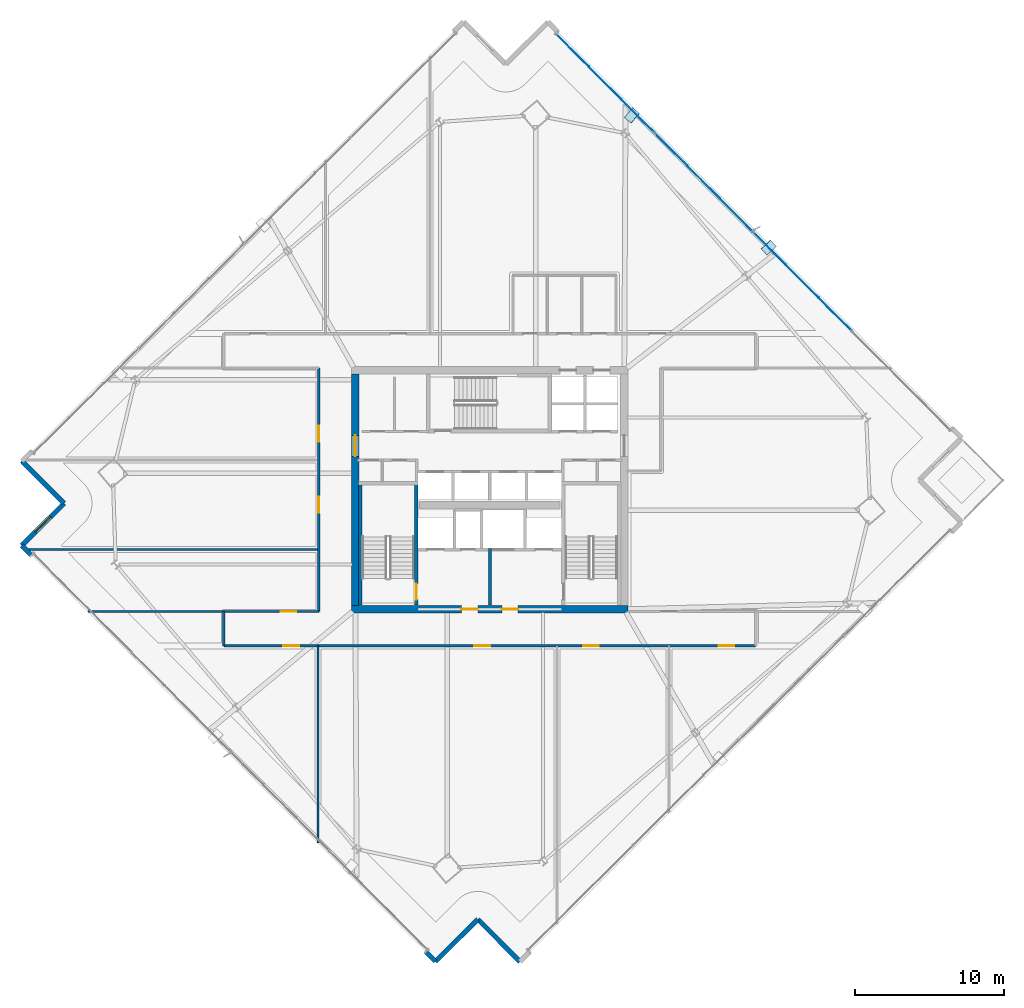
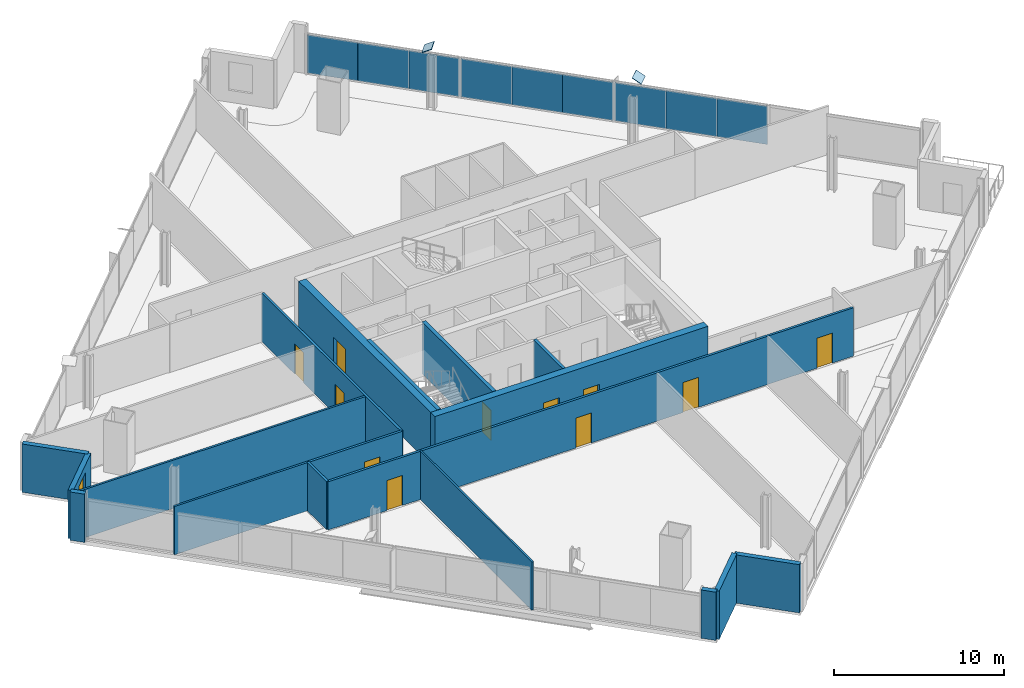
# One storey, part 24 of 32: 18 walls, 11 doors, 11 plates, 1 window, 12 openings, 1 element without a shape of its own.
"""IFC4 building model written with IfcOpenShell, lengths in metres."""

from ifc_helpers import new_model, si_unit, direction, frame, frame_2d, origin, origin_2d, place, context, subcontext, project, spatial, rectangle, extrude, source, transform, mapped, material, layer, layer_set, type_object, element, fill, aggregate, save


model = new_model("IFC4")

# Units and contexts
model_context = context("Model", 3, precision=1e-05, world=origin(), true_north=direction((0.0, 1.0)))
body_context = subcontext(model_context, "Body", "Model", "MODEL_VIEW")
ifc_project = project(units=[si_unit("LENGTHUNIT", "METRE"), si_unit("AREAUNIT", "SQUARE_METRE"), si_unit("VOLUMEUNIT", "CUBIC_METRE"), si_unit("PLANEANGLEUNIT", "RADIAN"), si_unit("MASSUNIT", "GRAM", prefix="KILO")], contexts=[model_context])

# Site, building, storey
site_placement = place(None, origin())
site = spatial("IfcSite", under=ifc_project, at=site_placement, CompositionType="ELEMENT")
building_placement = place(site_placement, origin())
building = spatial("IfcBuilding", under=site, at=building_placement, Name="Haldenkirk Collegiate Tower", CompositionType="ELEMENT")
storey_placement = place(building_placement, frame((0.0, 0.0, 178.199951171875)))
storey = spatial("IfcBuildingStorey", under=building, at=storey_placement, Name="L44", CompositionType="ELEMENT", Elevation=178.199951171875)

# Plates
ifc_material_1 = material(Name="Steel ASTM A572 Grade 50", Category="steel")
ifc_layer_1 = layer(ifc_material_1, 0.034912109375)
ifc_layer_set_1 = layer_set([ifc_layer_1], Name="Steel ASTM A572 Grade 50")
plate_type_1 = type_object("IfcPlateType", Name="PLT-CAP-EXT-760X600", PredefinedType="USERDEFINED", material=ifc_layer_set_1)
shared_shape_1 = source(origin(), body_context, "Body", "SweptSolid", [
    extrude(rectangle(XDim=0.860107421875, YDim=0.659912109375, at=origin_2d()), origin(), (0.0, 0.0, 1.0), 0.034912109375),
])
for number, where, z_axis, x_axis, name in (
    (1, (54.6669921875, 42.213623046875, 3.447509765625), (0.352288923463, -0.374112918721, 0.857864813622), (0.728022780542, 0.685552938155, -1.75998e-07), "Perimeter Mega Brace Z3 L42-L44 EL end cap plate 2"),
    (2, (45.5205078125, 51.0458984375, 3.447509765625), (-0.355243007103, 0.308160006162, 0.882519017646), (-0.655273233377, -0.75539194437, 3.99235e-07), "Perimeter Mega Brace Z3 L42-L44 ER end cap plate 2"),
):
    element("IfcPlate", number, at=place(storey_placement, frame(where, z_axis=z_axis, x_axis=x_axis)), inside=storey, type_object=plate_type_1, Name=name, ObjectType="END CAP PLATE", PredefinedType="USERDEFINED", context=body_context, shape_type="MappedRepresentation", body=[
        mapped(shared_shape_1, transform((0.0, 0.0, 0.0), x_axis=(1.0, 0.0, 0.0), y_axis=(0.0, 1.0, 0.0), z_axis=(0.0, 0.0, 1.0), scale=1.0)),
    ])

# Curtain wall, plates
ifc_material_2 = material(Name="Anodised architectural bronze aluminium", Category="aluminium")
curtain_wall_type = type_object("IfcCurtainWallType", Name="CW-SYS1-CONVEX-LOW", PredefinedType="USERDEFINED", material=ifc_material_2)
curtain_wall_placement = place(storey_placement, origin())
curtain_wall = element("IfcCurtainWall", 3, at=curtain_wall_placement, inside=storey, type_object=curtain_wall_type, Name="L44 Lower tower convex bronze-framed unitised curtain wall", ObjectType="UNITISED CURTAIN WALL", PredefinedType="USERDEFINED")
ifc_material_3 = material(Name="Bronze-anodised insulated aluminium spandrel panel", Category="aluminium")
ifc_layer_2 = layer(ifc_material_3, 0.0439453125)
ifc_layer_set_2 = layer_set([ifc_layer_2], Name="Bronze-anodised insulated aluminium spandrel panel")
plate_type_2 = type_object("IfcPlateType", Name="CW-SPD-1A", PredefinedType="CURTAIN_PANEL", material=ifc_layer_set_2)
shared_shape_2 = source(origin(), body_context, "Body", "SweptSolid", [
    extrude(rectangle(XDim=3.083740234375, YDim=0.0439453125, at=origin_2d()), origin(), (0.0, 0.0, 1.0), 2.7509765625),
])
plate_1_placement = place(storey_placement, frame((48.130615234375, 48.7861328125, 0.080078125), z_axis=(0.0, 0.0, 1.0), x_axis=(0.705255127772, -0.708953598447, 0.0)))
plate_1 = element("IfcPlate", 4, at=plate_1_placement, type_object=plate_type_2, Name="CW-1A spandrel panel 2.1a", PredefinedType="CURTAIN_PANEL", context=body_context, shape_type="MappedRepresentation", body=[
    mapped(shared_shape_2, transform((0.0, 0.0, 0.0), x_axis=(1.0, 0.0, 0.0), y_axis=(0.0, 1.0, 0.0), z_axis=(0.0, 0.0, 1.0), scale=1.0)),
])
plate_2_placement = place(storey_placement, frame((52.506591796875, 44.38720703125, 0.080078125), z_axis=(0.0, 0.0, 1.0), x_axis=(0.705255127772, -0.708953598447, 0.0)))
plate_2 = element("IfcPlate", 5, at=plate_2_placement, type_object=plate_type_2, Name="CW-1A spandrel panel 2.1c", PredefinedType="CURTAIN_PANEL", context=body_context, shape_type="MappedRepresentation", body=[
    mapped(shared_shape_2, transform((0.0, 0.0, 0.0), x_axis=(1.0, 0.0, 0.0), y_axis=(0.0, 1.0, 0.0), z_axis=(0.0, 0.0, 1.0), scale=1.0)),
])
plate_3_placement = place(storey_placement, frame((54.73779296875, 42.144287109375, 0.080078125), z_axis=(0.0, 0.0, 1.0), x_axis=(0.705255127772, -0.708953598447, 0.0)))
plate_3 = element("IfcPlate", 6, at=plate_3_placement, type_object=plate_type_2, Name="CW-1A spandrel panel 3.1a", PredefinedType="CURTAIN_PANEL", context=body_context, shape_type="MappedRepresentation", body=[
    mapped(shared_shape_2, transform((0.0, 0.0, 0.0), x_axis=(1.0, 0.0, 0.0), y_axis=(0.0, 1.0, 0.0), z_axis=(0.0, 0.0, 1.0), scale=1.0)),
])
ifc_material_4 = material(Name="Low-E argon triple insulating glass", Category="glass")
ifc_layer_3 = layer(ifc_material_4, 0.0439453125)
ifc_layer_set_3 = layer_set([ifc_layer_3], Name="Low-E argon triple insulating glass")
plate_type_3 = type_object("IfcPlateType", Name="CW-PNL-1A", PredefinedType="CURTAIN_PANEL", material=ifc_layer_set_3)
plate_4_placement = place(storey_placement, frame((59.114013671875, 37.7451171875, 0.080078125), z_axis=(0.0, 0.0, 1.0), x_axis=(0.705255127772, -0.708953598447, 0.0)))
plate_4 = element("IfcPlate", 7, at=plate_4_placement, type_object=plate_type_3, Name="CW-1A panel 3.1c", PredefinedType="CURTAIN_PANEL", context=body_context, shape_type="MappedRepresentation", body=[
    mapped(shared_shape_2, transform((0.0, 0.0, 0.0), x_axis=(1.0, 0.0, 0.0), y_axis=(0.0, 1.0, 0.0), z_axis=(0.0, 0.0, 1.0), scale=1.0)),
])
shared_shape_3 = source(origin(), body_context, "Body", "SweptSolid", [
    extrude(rectangle(XDim=3.0712890625, YDim=0.0439453125, at=origin_2d()), origin(), (0.0, 0.0, 1.0), 2.7509765625),
])
plate_5_placement = place(storey_placement, frame((50.318603515625, 46.586669921875, 0.080078125), z_axis=(0.0, 0.0, 1.0), x_axis=(0.705255127772, -0.708953598447, 0.0)))
plate_5 = element("IfcPlate", 8, at=plate_5_placement, type_object=plate_type_3, Name="CW-1A panel 2.1b", PredefinedType="CURTAIN_PANEL", context=body_context, shape_type="MappedRepresentation", body=[
    mapped(shared_shape_3, transform((0.0, 0.0, 0.0), x_axis=(1.0, 0.0, 0.0), y_axis=(0.0, 1.0, 0.0), z_axis=(0.0, 0.0, 1.0), scale=1.0)),
])
plate_6_placement = place(storey_placement, frame((56.92578125, 39.944580078125, 0.080078125), z_axis=(0.0, 0.0, 1.0), x_axis=(0.705255127772, -0.708953598447, 0.0)))
plate_6 = element("IfcPlate", 9, at=plate_6_placement, type_object=plate_type_3, Name="CW-1A panel 3.1b", PredefinedType="CURTAIN_PANEL", context=body_context, shape_type="MappedRepresentation", body=[
    mapped(shared_shape_3, transform((0.0, 0.0, 0.0), x_axis=(1.0, 0.0, 0.0), y_axis=(0.0, 1.0, 0.0), z_axis=(0.0, 0.0, 1.0), scale=1.0)),
])
shared_shape_4 = source(origin(), body_context, "Body", "SweptSolid", [
    extrude(rectangle(XDim=3.0703125, YDim=0.0439453125, at=origin_2d()), origin(), (0.0, 0.0, 1.0), 2.7509765625),
])
plate_7_placement = place(storey_placement, frame((41.546630859375, 55.404541015625, 0.080078125), z_axis=(0.0, 0.0, 1.0), x_axis=(0.705255127772, -0.708953598447, 0.0)))
plate_7 = element("IfcPlate", 10, at=plate_7_placement, type_object=plate_type_3, Name="CW-1A panel 1.1a", PredefinedType="CURTAIN_PANEL", context=body_context, shape_type="MappedRepresentation", body=[
    mapped(shared_shape_4, transform((0.0, 0.0, 0.0), x_axis=(1.0, 0.0, 0.0), y_axis=(0.0, 1.0, 0.0), z_axis=(0.0, 0.0, 1.0), scale=1.0)),
])
plate_8_placement = place(storey_placement, frame((45.90380859375, 51.0244140625, 0.080078125), z_axis=(0.0, 0.0, 1.0), x_axis=(0.705255127772, -0.708953598447, 0.0)))
plate_8 = element("IfcPlate", 11, at=plate_8_placement, type_object=plate_type_2, Name="CW-1A spandrel panel 1.1c", PredefinedType="CURTAIN_PANEL", context=body_context, shape_type="MappedRepresentation", body=[
    mapped(shared_shape_4, transform((0.0, 0.0, 0.0), x_axis=(1.0, 0.0, 0.0), y_axis=(0.0, 1.0, 0.0), z_axis=(0.0, 0.0, 1.0), scale=1.0)),
])
shared_shape_5 = source(origin(), body_context, "Body", "SweptSolid", [
    extrude(rectangle(XDim=3.057861328125, YDim=0.0439453125, at=origin_2d()), origin(), (0.0, 0.0, 1.0), 2.7509765625),
])
plate_9_placement = place(storey_placement, frame((43.725341796875, 53.214599609375, 0.080078125), z_axis=(0.0, 0.0, 1.0), x_axis=(0.705255127772, -0.708953598447, 0.0)))
plate_9 = element("IfcPlate", 12, at=plate_9_placement, type_object=plate_type_3, Name="CW-1A panel 1.1b", PredefinedType="CURTAIN_PANEL", context=body_context, shape_type="MappedRepresentation", body=[
    mapped(shared_shape_5, transform((0.0, 0.0, 0.0), x_axis=(1.0, 0.0, 0.0), y_axis=(0.0, 1.0, 0.0), z_axis=(0.0, 0.0, 1.0), scale=1.0)),
])
aggregate(curtain_wall, [plate_7, plate_9, plate_8, plate_1, plate_5, plate_2, plate_3, plate_6, plate_4])

# Wall, openings, doors
ifc_material_5 = material(Name="Concrete f'c 55 MPa", Category="concrete")
ifc_layer_4 = layer(ifc_material_5, 0.5)
ifc_layer_set_4 = layer_set([ifc_layer_4], Name="Concrete f'c 55 MPa")
wall_type_1 = type_object("IfcWallType", Name="WL-CORE-500", PredefinedType="SHEAR", material=ifc_layer_set_4)
wall_1_placement = place(storey_placement, frame((26.75, 18.0, 0.0), z_axis=(0.0, 0.0, 1.0), x_axis=(1.0, 0.0, 0.0)))
wall_1 = element("IfcWall", 13, at=wall_1_placement, inside=storey, type_object=wall_type_1, Name="L44 central core shear wall S", PredefinedType="SHEAR", context=body_context, shape_type="SweptSolid", body=[
    extrude(rectangle(XDim=18.5, YDim=0.5, at=frame_2d((9.25, 0.0))), origin(), (0.0, 0.0, 1.0), 3.75),
])
opening_1_placement = place(wall_1_placement, frame((7.35009765625, 0.0, 0.0)))
opening_1 = element("IfcOpeningElement", 14, at=opening_1_placement, cuts=wall_1, Name="Opening D-02", PredefinedType="OPENING", context=body_context, shape_type="SweptSolid", body=[
    extrude(rectangle(XDim=1.10009765625, YDim=2.14990234375, at=frame_2d((0.550048828125, 1.074951171875))), frame((0.0, 0.260009765625, 0.0), z_axis=(0.0, -1.0, 0.0), x_axis=(1.0, 0.0, 0.0)), (0.0, 0.0, 1.0), 0.52001953125),
])
opening_2_placement = place(wall_1_placement, frame((10.050048828125, 0.0, 0.0)))
opening_2 = element("IfcOpeningElement", 15, at=opening_2_placement, cuts=wall_1, Name="Opening D-02", PredefinedType="OPENING", context=body_context, shape_type="SweptSolid", body=[
    extrude(rectangle(XDim=1.10009765625, YDim=2.14990234375, at=frame_2d((0.550048828125, 1.074951171875))), frame((0.0, 0.260009765625, 0.0), z_axis=(0.0, -1.0, 0.0), x_axis=(1.0, 0.0, 0.0)), (0.0, 0.0, 1.0), 0.52001953125),
])
ifc_material_6 = material(Name="Galvanized fire-rated hollow steel door", Category="steel")
ifc_layer_5 = layer(ifc_material_6, 0.06005859375)
ifc_layer_set_5 = layer_set([ifc_layer_5], Name="Galvanized fire-rated hollow steel door")
door_type_1 = type_object("IfcDoorType", Name="DR-STAIR-FD90-1100", OperationType="NOTDEFINED", PredefinedType="DOOR", material=ifc_layer_set_5)
door_1_placement = place(opening_1_placement, origin())
door_1 = element("IfcDoor", 16, at=door_1_placement, inside=storey, type_object=door_type_1, Name="L44 Firefighting Lobby 1 door", OperationType="SINGLE_SWING_RIGHT", OverallHeight=2.14990234375, OverallWidth=1.10009765625, PredefinedType="DOOR", context=body_context, shape_type="SweptSolid", body=[
    extrude(rectangle(XDim=1.10009765625, YDim=2.14990234375, at=frame_2d((0.550048828125, 1.074951171875))), frame((0.0, 0.02490234375, 0.0), z_axis=(0.0, -1.0, 0.0), x_axis=(1.0, 0.0, 0.0)), (0.0, 0.0, 1.0), 0.050048828125),
])
fill(opening_1, door_1)
door_2_placement = place(opening_2_placement, origin())
door_2 = element("IfcDoor", 17, at=door_2_placement, inside=storey, type_object=door_type_1, Name="L44 Firefighting Lobby 2 door", OperationType="SINGLE_SWING_LEFT", OverallHeight=2.14990234375, OverallWidth=1.10009765625, PredefinedType="DOOR", context=body_context, shape_type="SweptSolid", body=[
    extrude(rectangle(XDim=1.10009765625, YDim=2.14990234375, at=frame_2d((0.550048828125, 1.074951171875))), frame((0.0, 0.02490234375, 0.0), z_axis=(0.0, -1.0, 0.0), x_axis=(1.0, 0.0, 0.0)), (0.0, 0.0, 1.0), 0.050048828125),
])
fill(opening_2, door_2)

# Wall, opening, door
wall_2_placement = place(storey_placement, frame((27.0, 18.25, 0.0), z_axis=(0.0, 0.0, 1.0), x_axis=(0.0, 1.0, 0.0)))
wall_2 = element("IfcWall", 18, at=wall_2_placement, inside=storey, type_object=wall_type_1, Name="L44 central core shear wall W", PredefinedType="SHEAR", context=body_context, shape_type="SweptSolid", body=[
    extrude(rectangle(XDim=15.5, YDim=0.5, at=frame_2d((7.75, 0.0))), origin(), (0.0, 0.0, 1.0), 3.75),
])
opening_3_placement = place(wall_2_placement, frame((9.989990234375, 0.0, 0.0)))
opening_3 = element("IfcOpeningElement", 19, at=opening_3_placement, cuts=wall_2, Name="Opening D-03", PredefinedType="OPENING", context=body_context, shape_type="SweptSolid", body=[
    extrude(rectangle(XDim=1.39990234375, YDim=2.199951171875, at=frame_2d((0.699951171875, 1.10009765625))), frame((0.0, 0.260009765625, 0.0), z_axis=(0.0, -1.0, 0.0), x_axis=(1.0, 0.0, 0.0)), (0.0, 0.0, 1.0), 0.52001953125),
])
ifc_layer_6 = layer(ifc_material_6, 0.06005859375)
ifc_layer_set_6 = layer_set([ifc_layer_6], Name="Galvanized fire-rated hollow steel door")
door_type_2 = type_object("IfcDoorType", Name="DR-LOBBY-FD90-1400", OperationType="NOTDEFINED", PredefinedType="DOOR", material=ifc_layer_set_6)
door_3_placement = place(opening_3_placement, origin())
door_3 = element("IfcDoor", 20, at=door_3_placement, inside=storey, type_object=door_type_2, Name="L44 west lift lobby portal", OperationType="DOUBLE_DOOR_SINGLE_SWING", OverallHeight=2.199951171875, OverallWidth=1.39990234375, PredefinedType="DOOR", context=body_context, shape_type="SweptSolid", body=[
    extrude(rectangle(XDim=1.39990234375, YDim=2.199951171875, at=frame_2d((0.699951171875, 1.10009765625))), frame((0.0, 0.02490234375, 0.0), z_axis=(0.0, -1.0, 0.0), x_axis=(1.0, 0.0, 0.0)), (0.0, 0.0, 1.0), 0.050048828125),
])
fill(opening_3, door_3)

# Wall
ifc_material_7 = material(Name="Precast concrete f'c 40 MPa", Category="concrete")
ifc_layer_7 = layer(ifc_material_7, 0.320068359375)
ifc_layer_set_7 = layer_set([ifc_layer_7], Name="Precast concrete f'c 40 MPa")
wall_type_2 = type_object("IfcWallType", Name="WL-EXT-TWR-320", PredefinedType="STANDARD", material=ifc_layer_set_7)
wall_3_placement = place(storey_placement, frame((7.501220703125, 25.084716796875, 0.0), z_axis=(0.0, 0.0, 1.0), x_axis=(-0.705273324255, 0.708935496427, 0.0)))
element("IfcWall", 21, at=wall_3_placement, inside=storey, type_object=wall_type_2, Name="L44 bronze precast notch wall 08", PredefinedType="STANDARD", context=body_context, shape_type="SweptSolid", body=[
    extrude(rectangle(XDim=4.0, YDim=0.320068359375, at=frame_2d((2.0, 0.0))), origin(), (0.0, 0.0, 1.0), 3.4599609375),
])

# Wall, opening, window
wall_4_placement = place(storey_placement, frame((4.665283203125, 22.263671875, 0.0), z_axis=(0.0, 0.0, 1.0), x_axis=(0.708965854503, 0.70524280723, 0.0)))
wall_4 = element("IfcWall", 22, at=wall_4_placement, inside=storey, type_object=wall_type_2, Name="L44 bronze precast notch wall 09", PredefinedType="STANDARD", context=body_context, shape_type="SweptSolid", body=[
    extrude(rectangle(XDim=4.0, YDim=0.320068359375, at=frame_2d((2.0, 0.0))), origin(), (0.0, 0.0, 1.0), 3.4599609375),
])
opening_4_placement = place(wall_4_placement, frame((1.27490234375, 0.0, 0.85009765625)))
opening_4 = element("IfcOpeningElement", 23, at=opening_4_placement, cuts=wall_4, Name="Opening W-05", PredefinedType="OPENING", context=body_context, shape_type="SweptSolid", body=[
    extrude(rectangle(XDim=1.449951171875, YDim=2.050048828125, at=frame_2d((0.72509765625, 1.02490234375))), frame((0.0, 0.169921875, 0.0), z_axis=(0.0, -1.0, 0.0), x_axis=(1.0, 0.0, 0.0)), (0.0, 0.0, 1.0), 0.340087890625),
])
ifc_layer_8 = layer(ifc_material_4, 0.090087890625)
ifc_layer_set_8 = layer_set([ifc_layer_8], Name="Low-E argon triple insulating glass")
window_type = type_object("IfcWindowType", Name="WN-Z3-1450X2050", PartitioningType="SINGLE_PANEL", PredefinedType="WINDOW", material=ifc_layer_set_8)
window_placement = place(opening_4_placement, origin())
window = element("IfcWindow", 24, at=window_placement, inside=storey, type_object=window_type, Name="L44 precast-frame academic window 8", OverallHeight=2.050048828125, OverallWidth=1.449951171875, PartitioningType="SINGLE_PANEL", PredefinedType="WINDOW", context=body_context, shape_type="SweptSolid", body=[
    extrude(rectangle(XDim=1.449951171875, YDim=2.050048828125, at=frame_2d((0.72509765625, 1.02490234375))), frame((0.0, 0.030029296875, 0.0), z_axis=(0.0, -1.0, 0.0), x_axis=(1.0, 0.0, 0.0)), (0.0, 0.0, 1.0), 0.06005859375),
])
fill(opening_4, window)

# Walls
wall_5_placement = place(storey_placement, frame((32.364013671875, -5.58056640625, 0.0), z_axis=(0.0, 0.0, 1.0), x_axis=(-0.705069217874, 0.709138490005, 0.0)))
element("IfcWall", 25, at=wall_5_placement, inside=storey, type_object=wall_type_2, Name="L44 precast corner pier WL", PredefinedType="STANDARD", context=body_context, shape_type="SweptSolid", body=[
    extrude(rectangle(XDim=0.89990234375, YDim=0.320068359375, at=frame_2d((0.449951171875, 0.0))), origin(), (0.0, 0.0, 1.0), 3.4599609375),
])
wall_6_placement = place(storey_placement, frame((5.300048828125, 21.62548828125, 0.0), z_axis=(0.0, 0.0, 1.0), x_axis=(-0.705205601739, 0.709002862671, 0.0)))
element("IfcWall", 26, at=wall_6_placement, inside=storey, type_object=wall_type_2, Name="L44 precast corner pier WR", PredefinedType="STANDARD", context=body_context, shape_type="SweptSolid", body=[
    extrude(rectangle(XDim=0.900146484375, YDim=0.320068359375, at=frame_2d((0.4501953125, 0.0))), origin(), (0.0, 0.0, 1.0), 3.4599609375),
])
for number, where, z_axis, x_axis, name in (
    (27, (35.199951171875, -2.759521484375, 0.0), (0.0, 0.0, 1.0), (-0.708965854503, -0.70524280723, 0.0), "L44 bronze precast notch wall 11"),
    (28, (38.02099609375, -5.595458984375, 0.0), (0.0, 0.0, 1.0), (-0.70524280723, 0.708965854503, 0.0), "L44 bronze precast notch wall 12"),
):
    element("IfcWall", number, at=place(storey_placement, frame(where, z_axis=z_axis, x_axis=x_axis)), inside=storey, type_object=wall_type_2, Name=name, PredefinedType="STANDARD", context=body_context, shape_type="SweptSolid", body=[
        extrude(rectangle(XDim=4.0, YDim=0.320068359375, at=frame_2d((2.0, 0.0))), origin(), (0.0, 0.0, 1.0), 3.4599609375),
    ])

# Wall, openings, doors
ifc_material_8 = material(Name="Acoustic fire-rated gypsum partition", Category="concrete")
ifc_layer_9 = layer(ifc_material_8, 0.159912109375)
ifc_layer_set_9 = layer_set([ifc_layer_9], Name="Acoustic fire-rated gypsum partition")
wall_type_3 = type_object("IfcWallType", Name="WL-INT-CORR-160", PredefinedType="PARTITIONING", material=ifc_layer_set_9)
wall_7_placement = place(storey_placement, frame((18.199951171875, 15.550048828125, 0.0), z_axis=(0.0, 0.0, 1.0), x_axis=(1.0, 0.0, 0.0)))
wall_7 = element("IfcWall", 29, at=wall_7_placement, inside=storey, type_object=wall_type_3, Name="L44 interior partition IW-L44-CS", PredefinedType="PARTITIONING", context=body_context, shape_type="SweptSolid", body=[
    extrude(rectangle(XDim=35.60009765625, YDim=0.159912109375, at=frame_2d((17.800048828125, 0.0))), origin(), (0.0, 0.0, 1.0), 3.4599609375),
])
opening_5_placement = place(wall_7_placement, frame((3.985107421875, 0.0, 0.0)))
opening_5 = element("IfcOpeningElement", 30, at=opening_5_placement, cuts=wall_7, Name="Opening D-09", PredefinedType="OPENING", context=body_context, shape_type="SweptSolid", body=[
    extrude(rectangle(XDim=1.050048828125, YDim=2.14990234375, at=frame_2d((0.52490234375, 1.074951171875))), frame((0.0, 0.08984375, 0.0), z_axis=(0.0, -1.0, 0.0), x_axis=(1.0, 0.0, 0.0)), (0.0, 0.0, 1.0), 0.179931640625),
])
opening_6_placement = place(wall_7_placement, frame((16.77490234375, 0.0, 0.0)))
opening_6 = element("IfcOpeningElement", 31, at=opening_6_placement, cuts=wall_7, Name="Opening D-09", PredefinedType="OPENING", context=body_context, shape_type="SweptSolid", body=[
    extrude(rectangle(XDim=1.050048828125, YDim=2.14990234375, at=frame_2d((0.52490234375, 1.074951171875))), frame((0.0, 0.08984375, 0.0), z_axis=(0.0, -1.0, 0.0), x_axis=(1.0, 0.0, 0.0)), (0.0, 0.0, 1.0), 0.179931640625),
])
opening_7_placement = place(wall_7_placement, frame((24.054931640625, 0.0, 0.0)))
opening_7 = element("IfcOpeningElement", 32, at=opening_7_placement, cuts=wall_7, Name="Opening D-09", PredefinedType="OPENING", context=body_context, shape_type="SweptSolid", body=[
    extrude(rectangle(XDim=1.050048828125, YDim=2.14990234375, at=frame_2d((0.52490234375, 1.074951171875))), frame((0.0, 0.08984375, 0.0), z_axis=(0.0, -1.0, 0.0), x_axis=(1.0, 0.0, 0.0)), (0.0, 0.0, 1.0), 0.179931640625),
])
opening_8_placement = place(wall_7_placement, frame((33.113037109375, 0.0, 0.0)))
opening_8 = element("IfcOpeningElement", 33, at=opening_8_placement, cuts=wall_7, Name="Opening D-09", PredefinedType="OPENING", context=body_context, shape_type="SweptSolid", body=[
    extrude(rectangle(XDim=1.050048828125, YDim=2.14990234375, at=frame_2d((0.52490234375, 1.074951171875))), frame((0.0, 0.08984375, 0.0), z_axis=(0.0, -1.0, 0.0), x_axis=(1.0, 0.0, 0.0)), (0.0, 0.0, 1.0), 0.179931640625),
])
ifc_material_9 = material(Name="Solid-core architectural oak fire door", Category="wood")
ifc_layer_10 = layer(ifc_material_9, 0.06005859375)
ifc_layer_set_10 = layer_set([ifc_layer_10], Name="Solid-core architectural oak fire door")
door_type_3 = type_object("IfcDoorType", Name="DR-INT-FD60-1050", OperationType="NOTDEFINED", PredefinedType="DOOR", material=ifc_layer_set_10)
door_4_placement = place(opening_5_placement, origin())
door_4 = element("IfcDoor", 34, at=door_4_placement, inside=storey, type_object=door_type_3, Name="L44 Wet Science Laboratory 1 door", OperationType="SINGLE_SWING_RIGHT", OverallHeight=2.14990234375, OverallWidth=1.050048828125, PredefinedType="DOOR", context=body_context, shape_type="SweptSolid", body=[
    extrude(rectangle(XDim=1.050048828125, YDim=2.14990234375, at=frame_2d((0.52490234375, 1.074951171875))), frame((0.0, 0.02490234375, 0.0), z_axis=(0.0, -1.0, 0.0), x_axis=(1.0, 0.0, 0.0)), (0.0, 0.0, 1.0), 0.050048828125),
])
fill(opening_5, door_4)
door_5_placement = place(opening_6_placement, origin())
door_5 = element("IfcDoor", 35, at=door_5_placement, inside=storey, type_object=door_type_3, Name="L44 Robotics Fabrication Lab 2 door", OperationType="SINGLE_SWING_LEFT", OverallHeight=2.14990234375, OverallWidth=1.050048828125, PredefinedType="DOOR", context=body_context, shape_type="SweptSolid", body=[
    extrude(rectangle(XDim=1.050048828125, YDim=2.14990234375, at=frame_2d((0.52490234375, 1.074951171875))), frame((0.0, 0.02490234375, 0.0), z_axis=(0.0, -1.0, 0.0), x_axis=(1.0, 0.0, 0.0)), (0.0, 0.0, 1.0), 0.050048828125),
])
fill(opening_6, door_5)
door_6_placement = place(opening_7_placement, origin())
door_6 = element("IfcDoor", 36, at=door_6_placement, inside=storey, type_object=door_type_3, Name="L44 Computational Design Studio 3 door", OperationType="SINGLE_SWING_RIGHT", OverallHeight=2.14990234375, OverallWidth=1.050048828125, PredefinedType="DOOR", context=body_context, shape_type="SweptSolid", body=[
    extrude(rectangle(XDim=1.050048828125, YDim=2.14990234375, at=frame_2d((0.52490234375, 1.074951171875))), frame((0.0, 0.02490234375, 0.0), z_axis=(0.0, -1.0, 0.0), x_axis=(1.0, 0.0, 0.0)), (0.0, 0.0, 1.0), 0.050048828125),
])
fill(opening_7, door_6)
door_7_placement = place(opening_8_placement, origin())
door_7 = element("IfcDoor", 37, at=door_7_placement, inside=storey, type_object=door_type_3, Name="L44 Faculty Office 4 door", OperationType="SINGLE_SWING_LEFT", OverallHeight=2.14990234375, OverallWidth=1.050048828125, PredefinedType="DOOR", context=body_context, shape_type="SweptSolid", body=[
    extrude(rectangle(XDim=1.050048828125, YDim=2.14990234375, at=frame_2d((0.52490234375, 1.074951171875))), frame((0.0, 0.02490234375, 0.0), z_axis=(0.0, -1.0, 0.0), x_axis=(1.0, 0.0, 0.0)), (0.0, 0.0, 1.0), 0.050048828125),
])
fill(opening_8, door_7)

# Wall, opening, door
wall_8_placement = place(storey_placement, frame((18.199951171875, 17.85009765625, 0.0), z_axis=(0.0, 0.0, 1.0), x_axis=(1.0, 0.0, 0.0)))
wall_8 = element("IfcWall", 38, at=wall_8_placement, inside=storey, type_object=wall_type_3, Name="L44 interior partition IW-L44-CSW", PredefinedType="PARTITIONING", context=body_context, shape_type="SweptSolid", body=[
    extrude(rectangle(XDim=6.35009765625, YDim=0.159912109375, at=frame_2d((3.175048828125, 0.0))), origin(), (0.0, 0.0, 1.0), 3.4599609375),
])
opening_9_placement = place(wall_8_placement, frame((3.79296875, 0.0, 0.0)))
opening_9 = element("IfcOpeningElement", 39, at=opening_9_placement, cuts=wall_8, Name="Opening D-09", PredefinedType="OPENING", context=body_context, shape_type="SweptSolid", body=[
    extrude(rectangle(XDim=1.050048828125, YDim=2.14990234375, at=frame_2d((0.52490234375, 1.074951171875))), frame((0.0, 0.08984375, 0.0), z_axis=(0.0, -1.0, 0.0), x_axis=(1.0, 0.0, 0.0)), (0.0, 0.0, 1.0), 0.179931640625),
])
door_8_placement = place(opening_9_placement, origin())
door_8 = element("IfcDoor", 40, at=door_8_placement, inside=storey, type_object=door_type_3, Name="L44 Robotics Fabrication Lab 8 door", OperationType="SINGLE_SWING_LEFT", OverallHeight=2.14990234375, OverallWidth=1.050048828125, PredefinedType="DOOR", context=body_context, shape_type="SweptSolid", body=[
    extrude(rectangle(XDim=1.050048828125, YDim=2.14990234375, at=frame_2d((0.52490234375, 1.074951171875))), frame((0.0, 0.02490234375, 0.0), z_axis=(0.0, -1.0, 0.0), x_axis=(1.0, 0.0, 0.0)), (0.0, 0.0, 1.0), 0.050048828125),
])
fill(opening_9, door_8)

# Wall, openings, doors
wall_9_placement = place(storey_placement, frame((24.550048828125, 17.85009765625, 0.0), z_axis=(0.0, 0.0, 1.0), x_axis=(0.0, 1.0, 0.0)))
wall_9 = element("IfcWall", 41, at=wall_9_placement, inside=storey, type_object=wall_type_3, Name="L44 interior partition IW-L44-CW", PredefinedType="PARTITIONING", context=body_context, shape_type="SweptSolid", body=[
    extrude(rectangle(XDim=16.2998046875, YDim=0.159912109375, at=frame_2d((8.14990234375, 0.0))), origin(), (0.0, 0.0, 1.0), 3.4599609375),
])
opening_10_placement = place(wall_9_placement, frame((6.625, 0.0, 0.0)))
opening_10 = element("IfcOpeningElement", 42, at=opening_10_placement, cuts=wall_9, Name="Opening D-09", PredefinedType="OPENING", context=body_context, shape_type="SweptSolid", body=[
    extrude(rectangle(XDim=1.050048828125, YDim=2.14990234375, at=frame_2d((0.52490234375, 1.074951171875))), frame((0.0, 0.08984375, 0.0), z_axis=(0.0, -1.0, 0.0), x_axis=(1.0, 0.0, 0.0)), (0.0, 0.0, 1.0), 0.179931640625),
])
opening_11_placement = place(wall_9_placement, frame((11.366943359375, 0.0, 0.0)))
opening_11 = element("IfcOpeningElement", 43, at=opening_11_placement, cuts=wall_9, Name="Opening D-09", PredefinedType="OPENING", context=body_context, shape_type="SweptSolid", body=[
    extrude(rectangle(XDim=1.050048828125, YDim=2.14990234375, at=frame_2d((0.52490234375, 1.074951171875))), frame((0.0, 0.08984375, 0.0), z_axis=(0.0, -1.0, 0.0), x_axis=(1.0, 0.0, 0.0)), (0.0, 0.0, 1.0), 0.179931640625),
])
door_9_placement = place(opening_10_placement, origin())
door_9 = element("IfcDoor", 44, at=door_9_placement, inside=storey, type_object=door_type_3, Name="L44 Computational Design Studio 9 door", OperationType="SINGLE_SWING_RIGHT", OverallHeight=2.14990234375, OverallWidth=1.050048828125, PredefinedType="DOOR", context=body_context, shape_type="SweptSolid", body=[
    extrude(rectangle(XDim=1.050048828125, YDim=2.14990234375, at=frame_2d((0.52490234375, 1.074951171875))), frame((0.0, 0.02490234375, 0.0), z_axis=(0.0, -1.0, 0.0), x_axis=(1.0, 0.0, 0.0)), (0.0, 0.0, 1.0), 0.050048828125),
])
fill(opening_10, door_9)
door_10_placement = place(opening_11_placement, origin())
door_10 = element("IfcDoor", 45, at=door_10_placement, inside=storey, type_object=door_type_3, Name="L44 Faculty Office 10 door", OperationType="SINGLE_SWING_LEFT", OverallHeight=2.14990234375, OverallWidth=1.050048828125, PredefinedType="DOOR", context=body_context, shape_type="SweptSolid", body=[
    extrude(rectangle(XDim=1.050048828125, YDim=2.14990234375, at=frame_2d((0.52490234375, 1.074951171875))), frame((0.0, 0.02490234375, 0.0), z_axis=(0.0, -1.0, 0.0), x_axis=(1.0, 0.0, 0.0)), (0.0, 0.0, 1.0), 0.050048828125),
])
fill(opening_11, door_10)

# Walls
wall_10_placement = place(storey_placement, frame((18.199951171875, 15.550048828125, 0.0), z_axis=(0.0, 0.0, 1.0), x_axis=(0.0, 1.0, 0.0)))
element("IfcWall", 46, at=wall_10_placement, inside=storey, type_object=wall_type_3, Name="L44 interior partition IW-L44-CSL", PredefinedType="PARTITIONING", context=body_context, shape_type="SweptSolid", body=[
    extrude(rectangle(XDim=2.300048828125, YDim=0.159912109375, at=frame_2d((1.14990234375, 0.0))), origin(), (0.0, 0.0, 1.0), 3.4599609375),
])
ifc_layer_11 = layer(ifc_material_8, 0.139892578125)
ifc_layer_set_11 = layer_set([ifc_layer_11], Name="Acoustic fire-rated gypsum partition")
wall_type_4 = type_object("IfcWallType", Name="WL-INT-DIV-140", PredefinedType="PARTITIONING", material=ifc_layer_set_11)
wall_11_placement = place(storey_placement, frame((9.1123046875, 17.85009765625, 0.0), z_axis=(0.0, 0.0, 1.0), x_axis=(1.0, 0.0, 0.0)))
element("IfcWall", 47, at=wall_11_placement, inside=storey, type_object=wall_type_4, Name="L44 interior partition IW-L44-BWS", PredefinedType="PARTITIONING", context=body_context, shape_type="SweptSolid", body=[
    extrude(rectangle(XDim=9.087646484375, YDim=0.139892578125, at=frame_2d((4.5439453125, 0.0))), origin(), (0.0, 0.0, 1.0), 3.4599609375),
])
wall_12_placement = place(storey_placement, frame((4.98388671875, 22.0, 0.0), z_axis=(0.0, 0.0, 1.0), x_axis=(1.0, 0.0, 0.0)))
element("IfcWall", 48, at=wall_12_placement, inside=storey, type_object=wall_type_4, Name="L44 interior partition IW-L44-RW1", PredefinedType="PARTITIONING", context=body_context, shape_type="SweptSolid", body=[
    extrude(rectangle(XDim=19.566162109375, YDim=0.139892578125, at=frame_2d((9.783203125, 0.0))), origin(), (0.0, 0.0, 1.0), 3.4599609375),
])
ifc_material_10 = material(Name="Fire-rated gypsum shaftboard assembly", Category="concrete")
ifc_layer_12 = layer(ifc_material_10, 0.199951171875)
ifc_layer_set_12 = layer_set([ifc_layer_12], Name="Fire-rated gypsum shaftboard assembly")
wall_type_5 = type_object("IfcWallType", Name="WL-INT-SHAFT-200", PredefinedType="PARTITIONING", material=ifc_layer_set_12)
wall_13_placement = place(storey_placement, frame((36.0, 18.280029296875, 0.0), z_axis=(0.0, 0.0, 1.0), x_axis=(0.0, 1.0, 0.0)))
element("IfcWall", 49, at=wall_13_placement, inside=storey, type_object=wall_type_5, Name="L44 interior partition IW-L44-FFLM", PredefinedType="PARTITIONING", context=body_context, shape_type="SweptSolid", body=[
    extrude(rectangle(XDim=3.77001953125, YDim=0.199951171875, at=frame_2d((1.885009765625, 0.0))), origin(), (0.0, 0.0, 1.0), 3.4599609375),
])
ifc_layer_13 = layer(ifc_material_8, 0.1201171875)
ifc_layer_set_13 = layer_set([ifc_layer_13], Name="Acoustic fire-rated gypsum partition")
wall_type_6 = type_object("IfcWallType", Name="WL-INT-WET-120", PredefinedType="PARTITIONING", material=ifc_layer_set_13)
wall_14_placement = place(storey_placement, frame((24.5, 2.381591796875, 0.0), z_axis=(0.0, 0.0, 1.0), x_axis=(0.0, 1.0, 0.0)))
element("IfcWall", 50, at=wall_14_placement, inside=storey, type_object=wall_type_6, Name="L44 interior partition IW-L44-RS1", PredefinedType="PARTITIONING", context=body_context, shape_type="SweptSolid", body=[
    extrude(rectangle(XDim=13.16845703125, YDim=0.1201171875, at=frame_2d((6.584228515625, 0.0))), origin(), (0.0, 0.0, 1.0), 3.4599609375),
])

# Wall, opening, door
ifc_layer_14 = layer(ifc_material_5, 0.239990234375)
ifc_layer_set_14 = layer_set([ifc_layer_14], Name="Concrete f'c 55 MPa")
wall_type_7 = type_object("IfcWallType", Name="WL-SHAFT-240", PredefinedType="SHEAR", material=ifc_layer_set_14)
wall_15_placement = place(storey_placement, frame((31.070068359375, 18.280029296875, 0.0), z_axis=(0.0, 0.0, 1.0), x_axis=(0.0, 1.0, 0.0)))
wall_15 = element("IfcWall", 51, at=wall_15_placement, inside=storey, type_object=wall_type_7, Name="L44 stair shaft shear wall SW-L44-ST1E", PredefinedType="SHEAR", context=body_context, shape_type="SweptSolid", body=[
    extrude(rectangle(XDim=8.260009765625, YDim=0.239990234375, at=frame_2d((4.1298828125, 0.0))), origin(), (0.0, 0.0, 1.0), 3.75),
])
opening_12_placement = place(wall_15_placement, frame((0.364990234375, 0.0, 0.0)))
opening_12 = element("IfcOpeningElement", 52, at=opening_12_placement, cuts=wall_15, Name="Opening D-01", PredefinedType="OPENING", context=body_context, shape_type="SweptSolid", body=[
    extrude(rectangle(XDim=1.050048828125, YDim=2.14990234375, at=frame_2d((0.52490234375, 1.074951171875))), frame((0.0, 0.1298828125, 0.0), z_axis=(0.0, -1.0, 0.0), x_axis=(1.0, 0.0, 0.0)), (0.0, 0.0, 1.0), 0.260009765625),
])
ifc_layer_15 = layer(ifc_material_6, 0.06005859375)
ifc_layer_set_15 = layer_set([ifc_layer_15], Name="Galvanized fire-rated hollow steel door")
door_type_4 = type_object("IfcDoorType", Name="DR-STAIR-FD90-1050", OperationType="NOTDEFINED", PredefinedType="DOOR", material=ifc_layer_set_15)
door_11_placement = place(opening_12_placement, origin())
door_11 = element("IfcDoor", 53, at=door_11_placement, inside=storey, type_object=door_type_4, Name="L44 Stair 1 door", OperationType="SINGLE_SWING_LEFT", OverallHeight=2.14990234375, OverallWidth=1.050048828125, PredefinedType="DOOR", context=body_context, shape_type="SweptSolid", body=[
    extrude(rectangle(XDim=1.050048828125, YDim=2.14990234375, at=frame_2d((0.52490234375, 1.074951171875))), frame((0.0, 0.02490234375, 0.0), z_axis=(0.0, -1.0, 0.0), x_axis=(1.0, 0.0, 0.0)), (0.0, 0.0, 1.0), 0.050048828125),
])
fill(opening_12, door_11)

# Wall
wall_16_placement = place(storey_placement, frame((27.330078125, 18.280029296875, 0.0), z_axis=(0.0, 0.0, 1.0), x_axis=(0.0, 1.0, 0.0)))
element("IfcWall", 54, at=wall_16_placement, inside=storey, type_object=wall_type_7, Name="L44 stair shaft shear wall SW-L44-ST1W", PredefinedType="SHEAR", context=body_context, shape_type="SweptSolid", body=[
    extrude(rectangle(XDim=8.260009765625, YDim=0.239990234375, at=frame_2d((4.1298828125, 0.0))), origin(), (0.0, 0.0, 1.0), 3.75),
])

save(model, "model.ifc")
